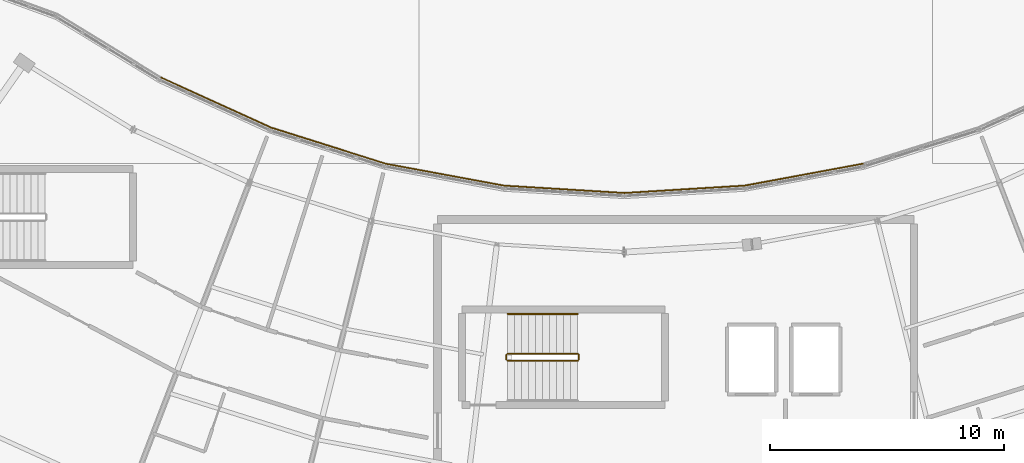
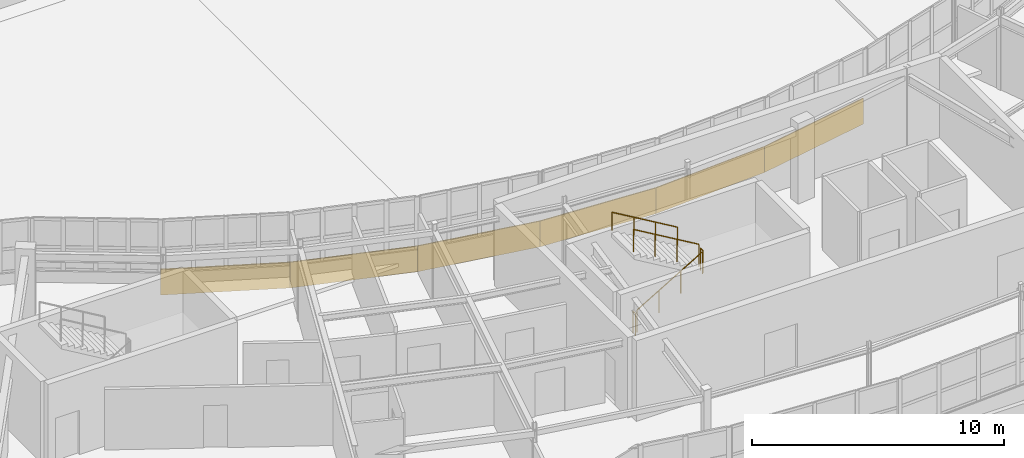
# One storey, part 116 of 128: 6 coverings, 5 railings.
"""IFC4 building model written with IfcOpenShell, lengths in metres."""

from ifc_helpers import new_model, si_unit, direction, frame, origin, origin_2d, place, context, subcontext, project, spatial, rectangle, circle, extrude, material, layer, layer_set, type_object, element, save


model = new_model("IFC4")

# Units and contexts
model_context = context("Model", 3, precision=1e-05, world=origin(), true_north=direction((0.0, 1.0)))
body_context = subcontext(model_context, "Body", "Model", "MODEL_VIEW")
ifc_project = project(units=[si_unit("LENGTHUNIT", "METRE"), si_unit("AREAUNIT", "SQUARE_METRE"), si_unit("VOLUMEUNIT", "CUBIC_METRE"), si_unit("PLANEANGLEUNIT", "RADIAN"), si_unit("MASSUNIT", "GRAM", prefix="KILO")], contexts=[model_context])

# Site, building, storey
site_placement = place(None, origin())
site = spatial("IfcSite", under=ifc_project, at=site_placement, CompositionType="ELEMENT")
building_placement = place(site_placement, origin())
building = spatial("IfcBuilding", under=site, at=building_placement, Name="Tarnwether General Hospital", CompositionType="ELEMENT")
storey_placement = place(building_placement, frame((0.0, 0.0, 14.39990234375)))
storey = spatial("IfcBuildingStorey", under=building, at=storey_placement, Name="L03", CompositionType="ELEMENT", Elevation=14.39990234375)

# Coverings
ifc_material_1 = material(Name="Streamlined white enamelled aluminium", Category="aluminium")
ifc_layer = layer(ifc_material_1, 0.044921875)
ifc_layer_set = layer_set([ifc_layer], Name="Streamlined white enamelled aluminium")
covering_type = type_object("IfcCoveringType", Name="CV-CLD-WHT", PredefinedType="CLADDING", material=ifc_layer_set)
for number, where, z_axis, x_axis, name in (
    (1, (99.68798828125, 21.51708984375, -0.1748046875), (0.0, 0.0, 1.0), (0.983267627608, 0.182166880906, 0.0), "Streamlined White Horizontal Band SE L03 20"),
    (2, (94.574951171875, 20.889892578125, -0.1748046875), (0.0, 0.0, 1.0), (0.998134798422, 0.061048539535, 0.0), "Streamlined White Horizontal Band SE L03 21"),
    (3, (89.425048828125, 20.889892578125, -0.1748046875), (0.0, 0.0, 1.0), (0.998134798422, -0.061048539535, 0.0), "Streamlined White Horizontal Band SE L03 22"),
    (4, (84.31201171875, 21.51708984375, -0.1748046875), (0.0, 0.0, 1.0), (0.983267627608, -0.182166880906, 0.0), "Streamlined White Horizontal Band SE L03 23"),
):
    element("IfcCovering", number, at=place(storey_placement, frame(where, z_axis=z_axis, x_axis=x_axis)), inside=storey, type_object=covering_type, Name=name, PredefinedType="CLADDING", context=body_context, shape_type="SweptSolid", body=[
        extrude(rectangle(XDim=5.177001953125, YDim=0.044921875, at=origin_2d()), origin(), (0.0, 0.0, 1.0), 1.25),
    ])
covering_1_placement = place(storey_placement, frame((79.31396484375, 22.762939453125, -0.1748046875), z_axis=(0.0, 0.0, 1.0), x_axis=(0.953711702297, -0.300722444959, 0.0)))
element("IfcCovering", 5, at=covering_1_placement, inside=storey, type_object=covering_type, Name="Streamlined White Horizontal Band SE L03 24", PredefinedType="CLADDING", context=body_context, shape_type="SweptSolid", body=[
    extrude(rectangle(XDim=5.177978515625, YDim=0.044921875, at=origin_2d()), origin(), (0.0, 0.0, 1.0), 1.25),
])
covering_2_placement = place(storey_placement, frame((74.50390625, 24.610107421875, -0.1748046875), z_axis=(0.0, 0.0, 1.0), x_axis=(0.909954032975, -0.414709124413, 0.0)))
element("IfcCovering", 6, at=covering_2_placement, inside=storey, type_object=covering_type, Name="Streamlined White Horizontal Band SE L03 25", PredefinedType="CLADDING", context=body_context, shape_type="SweptSolid", body=[
    extrude(rectangle(XDim=5.177001953125, YDim=0.044921875, at=origin_2d()), origin(), (0.0, 0.0, 1.0), 1.25),
])

# Railings
ifc_material_2 = material(Name="Anodised aluminium", Category="aluminium")
railing_type_1 = type_object("IfcRailingType", Name="RL-GRD-INT", PredefinedType="GUARDRAIL", material=ifc_material_2)
railing_1_placement = place(storey_placement, frame((87.0, 13.550048828125, 0.177490234375)))
element("IfcRailing", 7, at=railing_1_placement, inside=storey, type_object=railing_type_1, Name="L03 ST-02 stair guard 1", PredefinedType="GUARDRAIL", context=body_context, shape_type="SweptSolid", body=[
    extrude(circle(Radius=0.02392578125, at=origin_2d()), frame((0.0, 0.0, 1.076171875), z_axis=(0.86092931783, 0.0, 0.508724591208), x_axis=(0.0, 1.0, 0.0)), (0.0, 0.0, 1.0), 3.484619140625),
    extrude(circle(Radius=0.02099609375, at=origin_2d()), origin(), (0.0, 0.0, 1.0), 1.052001953125),
    extrude(circle(Radius=0.02099609375, at=origin_2d()), frame((1.0, 0.0, 0.5908203125)), (0.0, 0.0, 1.0), 1.052001953125),
    extrude(circle(Radius=0.02099609375, at=origin_2d()), frame((2.0, 0.0, 1.181884765625)), (0.0, 0.0, 1.0), 1.052001953125),
    extrude(circle(Radius=0.02099609375, at=origin_2d()), frame((3.0, 0.0, 1.772705078125)), (0.0, 0.0, 1.0), 1.052001953125),
])
railing_2_placement = place(storey_placement, frame((90.050048828125, 13.60009765625, 1.9501953125)))
element("IfcRailing", 8, at=railing_2_placement, inside=storey, type_object=railing_type_1, Name="L03 ST-02 stair guard 2", PredefinedType="GUARDRAIL", context=body_context, shape_type="SweptSolid", body=[
    extrude(circle(Radius=0.02392578125, at=origin_2d()), frame((0.0, 0.0, 1.076171875), z_axis=(0.0, 1.0, 0.0), x_axis=(-1.0, 0.0, 0.0)), (0.0, 0.0, 1.0), 0.199951171875),
    extrude(circle(Radius=0.02099609375, at=origin_2d()), origin(), (0.0, 0.0, 1.0), 1.052001953125),
    extrude(circle(Radius=0.02099609375, at=origin_2d()), frame((0.0, 0.199951171875, 0.0)), (0.0, 0.0, 1.0), 1.052001953125),
])
railing_3_placement = place(storey_placement, frame((90.0, 13.85009765625, 2.12744140625)))
element("IfcRailing", 9, at=railing_3_placement, inside=storey, type_object=railing_type_1, Name="L03 ST-02 stair guard 3", PredefinedType="GUARDRAIL", context=body_context, shape_type="SweptSolid", body=[
    extrude(circle(Radius=0.02392578125, at=origin_2d()), frame((0.0, 0.0, 1.076171875), z_axis=(-0.86092931783, 0.0, 0.508724591208), x_axis=(0.0, -1.0, 0.0)), (0.0, 0.0, 1.0), 3.484619140625),
    extrude(circle(Radius=0.02099609375, at=origin_2d()), origin(), (0.0, 0.0, 1.0), 1.052001953125),
    extrude(circle(Radius=0.02099609375, at=origin_2d()), frame((-1.0, 0.0, 0.5908203125)), (0.0, 0.0, 1.0), 1.052001953125),
    extrude(circle(Radius=0.02099609375, at=origin_2d()), frame((-2.0, 0.0, 1.181884765625)), (0.0, 0.0, 1.0), 1.052001953125),
    extrude(circle(Radius=0.02099609375, at=origin_2d()), frame((-3.0, 0.0, 1.772705078125)), (0.0, 0.0, 1.0), 1.052001953125),
])
railing_4_placement = place(storey_placement, frame((86.949951171875, 13.60009765625, 0.0)))
element("IfcRailing", 10, at=railing_4_placement, inside=storey, type_object=railing_type_1, Name="L03 ST-02 stair guard 4", PredefinedType="GUARDRAIL", context=body_context, shape_type="SweptSolid", body=[
    extrude(circle(Radius=0.02392578125, at=origin_2d()), frame((0.0, 0.0, 1.076171875), z_axis=(0.0, 1.0, 0.0), x_axis=(-1.0, 0.0, 0.0)), (0.0, 0.0, 1.0), 0.199951171875),
    extrude(circle(Radius=0.02099609375, at=origin_2d()), origin(), (0.0, 0.0, 1.0), 1.052001953125),
    extrude(circle(Radius=0.02099609375, at=origin_2d()), frame((0.0, 0.199951171875, 0.0)), (0.0, 0.0, 1.0), 1.052001953125),
])
ifc_material_3 = material(Name="Anodised aluminium", Category="aluminium")
railing_type_2 = type_object("IfcRailingType", Name="RL-HND-INT", PredefinedType="HANDRAIL", material=ifc_material_3)
railing_5_placement = place(storey_placement, frame((90.0, 15.550048828125, 2.12744140625)))
element("IfcRailing", 11, at=railing_5_placement, inside=storey, type_object=railing_type_2, Name="L03 ST-02 stair handrail 2", PredefinedType="HANDRAIL", context=body_context, shape_type="SweptSolid", body=[
    extrude(circle(Radius=0.02392578125, at=origin_2d()), frame((0.0, 0.0, 0.8759765625), z_axis=(-0.86092931783, 0.0, 0.508724591208), x_axis=(0.0, -1.0, 0.0)), (0.0, 0.0, 1.0), 3.484619140625),
    extrude(circle(Radius=0.02099609375, at=origin_2d()), origin(), (0.0, 0.0, 1.0), 0.851806640625),
    extrude(circle(Radius=0.02099609375, at=origin_2d()), frame((-1.0, 0.0, 0.5908203125)), (0.0, 0.0, 1.0), 0.851806640625),
    extrude(circle(Radius=0.02099609375, at=origin_2d()), frame((-2.0, 0.0, 1.181884765625)), (0.0, 0.0, 1.0), 0.851806640625),
    extrude(circle(Radius=0.02099609375, at=origin_2d()), frame((-3.0, 0.0, 1.772705078125)), (0.0, 0.0, 1.0), 0.851806640625),
])

save(model, "model.ifc")
